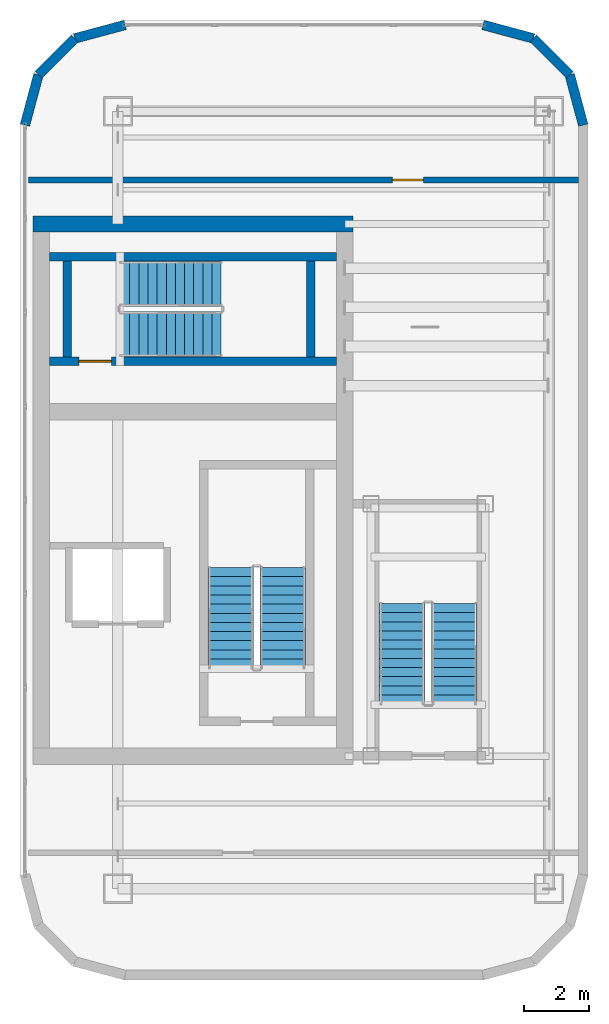
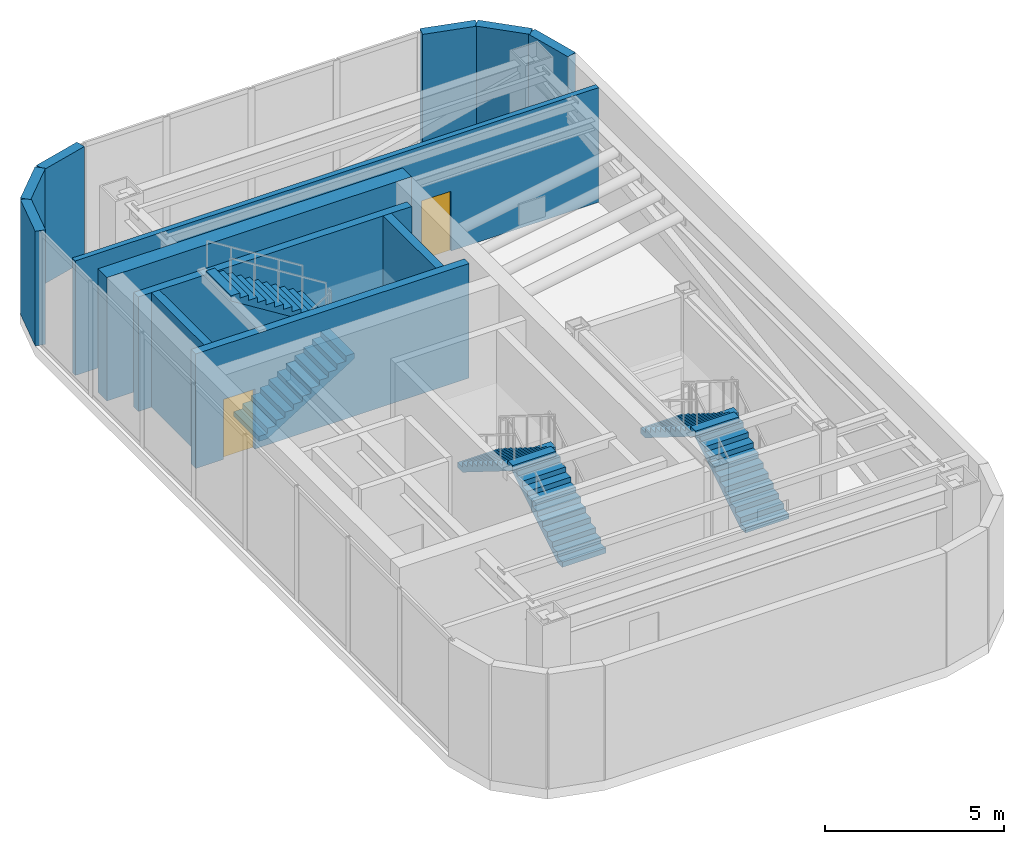
# One storey, part 8 of 9: 12 walls, 6 stair flights, 2 doors, 2 openings, 3 elements without a shape of their own.
"""IFC4 building model written with IfcOpenShell, lengths in metres."""

from ifc_helpers import new_model, si_unit, direction, frame, frame_2d, origin, place, context, subcontext, project, spatial, polyline, rectangle, outline, extrude, material, layer, layer_set, type_object, element, fill, aggregate, save


model = new_model("IFC4")

# Units and contexts
model_context = context("Model", 3, precision=1e-05, world=origin(), true_north=direction((0.0, 1.0)))
body_context = subcontext(model_context, "Body", "Model", "MODEL_VIEW")
ifc_project = project(units=[si_unit("LENGTHUNIT", "METRE"), si_unit("AREAUNIT", "SQUARE_METRE"), si_unit("VOLUMEUNIT", "CUBIC_METRE"), si_unit("PLANEANGLEUNIT", "RADIAN"), si_unit("MASSUNIT", "GRAM", prefix="KILO")], contexts=[model_context])

# Site, building, storey
site_placement = place(None, origin())
site = spatial("IfcSite", under=ifc_project, at=site_placement, CompositionType="ELEMENT")
building_placement = place(site_placement, origin())
building = spatial("IfcBuilding", under=site, at=building_placement, Name="Kiyonajd Concourse Tower", CompositionType="ELEMENT")
storey_placement = place(building_placement, frame((0.0, 0.0, 372.89990234375)))
storey = spatial("IfcBuildingStorey", under=building, at=storey_placement, Name="L93", CompositionType="ELEMENT", Elevation=372.89990234375)

# Walls
ifc_material_1 = material(Name="Concrete C60/75", Category="concrete")
ifc_layer_1 = layer(ifc_material_1, 0.5)
ifc_layer_set_1 = layer_set([ifc_layer_1], Name="Concrete C60/75")
wall_type_1 = type_object("IfcWallType", Name="WL-CORE-500", PredefinedType="SHEAR", material=ifc_layer_set_1)
wall_1_placement = place(storey_placement, frame((53.800048828125, 44.14990234375, 0.0), z_axis=(0.0, 0.0, 1.0), x_axis=(1.0, 0.0, 0.0)))
element("IfcWall", 1, at=wall_1_placement, inside=storey, type_object=wall_type_1, Name="L93 East Crown North Core Wall", PredefinedType="SHEAR", context=body_context, shape_type="SweptSolid", body=[
    extrude(rectangle(XDim=9.800048828125, YDim=0.5, at=frame_2d((4.89990234375, 0.0))), origin(), (0.0, 0.0, 1.0), 4.2001953125),
])
ifc_material_2 = material(Name="Precast concrete C50/60", Category="concrete")
ifc_layer_2 = layer(ifc_material_2, 0.300048828125)
ifc_layer_set_2 = layer_set([ifc_layer_2], Name="Precast concrete C50/60")
wall_type_2 = type_object("IfcWallType", Name="WL-CRN-300", PredefinedType="SOLIDWALL", material=ifc_layer_set_2)
wall_2_placement = place(storey_placement, frame((53.550048828125, 47.18017578125, 0.0), z_axis=(0.0, 0.0, 1.0), x_axis=(0.258871110129, 0.965911874003, 0.0)))
element("IfcWall", 2, at=wall_2_placement, inside=storey, type_object=wall_type_2, Name="L93 E Crown Enclosure Wall 02", PredefinedType="SOLIDWALL", context=body_context, shape_type="SweptSolid", body=[
    extrude(rectangle(XDim=1.5966796875, YDim=0.300048828125, at=frame_2d((0.79833984375, 0.0))), origin(), (0.0, 0.0, 1.0), 3.900146484375),
])
wall_3_placement = place(storey_placement, frame((53.96337890625, 48.722412109375, 0.0), z_axis=(0.0, 0.0, 1.0), x_axis=(0.707184251115, 0.707029302769, 0.0)))
element("IfcWall", 3, at=wall_3_placement, inside=storey, type_object=wall_type_2, Name="L93 E Crown Enclosure Wall 03", PredefinedType="SOLIDWALL", context=body_context, shape_type="SweptSolid", body=[
    extrude(rectangle(XDim=1.57568359375, YDim=0.300048828125, at=frame_2d((0.787841796875, 0.0))), origin(), (0.0, 0.0, 1.0), 3.900146484375),
])
for number, where, z_axis, x_axis, name in (
    (4, (55.07763671875, 49.83642578125, 0.0), (0.0, 0.0, 1.0), (0.96587363116, 0.259013761467, 0.0), "L93 E Crown Enclosure Wall 04"),
    (5, (67.580078125, 50.25, 0.0), (0.0, 0.0, 1.0), (0.96587363116, -0.259013761467, 0.0), "L93 E Crown Enclosure Wall 06"),
):
    element("IfcWall", number, at=place(storey_placement, frame(where, z_axis=z_axis, x_axis=x_axis)), inside=storey, type_object=wall_type_2, Name=name, PredefinedType="SOLIDWALL", context=body_context, shape_type="SweptSolid", body=[
        extrude(rectangle(XDim=1.5966796875, YDim=0.300048828125, at=frame_2d((0.79833984375, 0.0))), origin(), (0.0, 0.0, 1.0), 3.900146484375),
    ])
wall_4_placement = place(storey_placement, frame((69.122314453125, 49.83642578125, 0.0), z_axis=(0.0, 0.0, 1.0), x_axis=(0.707184251115, -0.707029302769, 0.0)))
element("IfcWall", 6, at=wall_4_placement, inside=storey, type_object=wall_type_2, Name="L93 E Crown Enclosure Wall 07", PredefinedType="SOLIDWALL", context=body_context, shape_type="SweptSolid", body=[
    extrude(rectangle(XDim=1.57568359375, YDim=0.300048828125, at=frame_2d((0.787841796875, 0.0))), origin(), (0.0, 0.0, 1.0), 3.900146484375),
])
wall_5_placement = place(storey_placement, frame((70.236572265625, 48.722412109375, 0.0), z_axis=(0.0, 0.0, 1.0), x_axis=(0.258871110129, -0.965911874003, 0.0)))
element("IfcWall", 7, at=wall_5_placement, inside=storey, type_object=wall_type_2, Name="L93 E Crown Enclosure Wall 08", PredefinedType="SOLIDWALL", context=body_context, shape_type="SweptSolid", body=[
    extrude(rectangle(XDim=1.5966796875, YDim=0.300048828125, at=frame_2d((0.79833984375, 0.0))), origin(), (0.0, 0.0, 1.0), 3.900146484375),
])

# Wall, opening, door
ifc_material_3 = material(Name="Gypsum Board on Cold-Formed Steel Stud", Category="steel")
ifc_layer_3 = layer(ifc_material_3, 0.169921875)
ifc_layer_set_3 = layer_set([ifc_layer_3], Name="Gypsum Board on Cold-Formed Steel Stud")
wall_type_3 = type_object("IfcWallType", Name="WL-SMK-170", PredefinedType="PARTITIONING", material=ifc_layer_set_3)
wall_6_placement = place(storey_placement, frame((53.655029296875, 45.5, 0.0), z_axis=(0.0, 0.0, 1.0), x_axis=(1.0, 0.0, 0.0)))
wall_6 = element("IfcWall", 8, at=wall_6_placement, inside=storey, type_object=wall_type_3, Name="L93 Interior Partition Wall", PredefinedType="PARTITIONING", context=body_context, shape_type="SweptSolid", body=[
    extrude(rectangle(XDim=16.849853515625, YDim=0.169921875, at=frame_2d((8.4248046875, 0.0))), origin(), (0.0, 0.0, 1.0), 3.900146484375),
])
opening_1_placement = place(wall_6_placement, frame((11.14501953125, 0.0, 0.0)))
opening_1 = element("IfcOpeningElement", 9, at=opening_1_placement, cuts=wall_6, Name="Opening DF3", PredefinedType="OPENING", context=body_context, shape_type="SweptSolid", body=[
    extrude(rectangle(XDim=0.949951171875, YDim=2.0400390625, at=frame_2d((0.47509765625, 1.02001953125))), frame((0.0, 0.094970703125, 0.0), z_axis=(0.0, -1.0, 0.0), x_axis=(1.0, 0.0, 0.0)), (0.0, 0.0, 1.0), 0.18994140625),
])
ifc_material_4 = material(Name="Brushed Stainless Steel Cab Assembly", Category="steel")
door_type_1 = type_object("IfcDoorType", Name="DR-FD60-950", OperationType="NOTDEFINED", PredefinedType="DOOR", material=ifc_material_4)
door_1_placement = place(opening_1_placement, origin())
door_1 = element("IfcDoor", 10, at=door_1_placement, inside=storey, type_object=door_type_1, Name="L93 Interior Door", OperationType="SINGLE_SWING_LEFT", OverallHeight=2.0400390625, OverallWidth=0.949951171875, PredefinedType="DOOR", context=body_context, shape_type="SweptSolid", body=[
    extrude(rectangle(XDim=0.949951171875, YDim=2.0400390625, at=frame_2d((0.47509765625, 1.02001953125))), frame((0.0, 0.02490234375, 0.0), z_axis=(0.0, -1.0, 0.0), x_axis=(1.0, 0.0, 0.0)), (0.0, 0.0, 1.0), 0.050048828125),
])
fill(opening_1, door_1)

ifc_material_5 = material(Name="Concrete C50/60", Category="concrete")
ifc_layer_4 = layer(ifc_material_5, 0.260009765625)
ifc_layer_set_4 = layer_set([ifc_layer_4], Name="Concrete C50/60")
wall_type_4 = type_object("IfcWallType", Name="WL-STAIR-260", PredefinedType="SHEAR", material=ifc_layer_set_4)
wall_7_placement = place(storey_placement, frame((54.300048828125, 39.949951171875, 0.0), z_axis=(0.0, 0.0, 1.0), x_axis=(1.0, 0.0, 0.0)))
wall_7 = element("IfcWall", 11, at=wall_7_placement, inside=storey, type_object=wall_type_4, Name="L93 Stair ST3 Structural South Wall", PredefinedType="SHEAR", context=body_context, shape_type="SweptSolid", body=[
    extrude(rectangle(XDim=8.800048828125, YDim=0.260009765625, at=frame_2d((4.39990234375, 0.0))), origin(), (0.0, 0.0, 1.0), 3.900146484375),
])
opening_2_placement = place(wall_7_placement, frame((0.89990234375, 0.0, 0.0)))
opening_2 = element("IfcOpeningElement", 12, at=opening_2_placement, cuts=wall_7, Name="Opening DF1", PredefinedType="OPENING", context=body_context, shape_type="SweptSolid", body=[
    extrude(rectangle(XDim=1.0, YDim=2.0400390625, at=frame_2d((0.5, 1.02001953125))), frame((0.0, 0.139892578125, 0.0), z_axis=(0.0, -1.0, 0.0), x_axis=(1.0, 0.0, 0.0)), (0.0, 0.0, 1.0), 0.280029296875),
])
door_type_2 = type_object("IfcDoorType", Name="DR-FD90-1000", OperationType="NOTDEFINED", PredefinedType="DOOR", material=ifc_material_4)
door_2_placement = place(opening_2_placement, origin())
door_2 = element("IfcDoor", 13, at=door_2_placement, inside=storey, type_object=door_type_2, Name="L93 Stair ST3 Enclosure Door", OperationType="SINGLE_SWING_LEFT", OverallHeight=2.0400390625, OverallWidth=1.0, PredefinedType="DOOR", context=body_context, shape_type="SweptSolid", body=[
    extrude(rectangle(XDim=1.0, YDim=2.0400390625, at=frame_2d((0.5, 1.02001953125))), frame((0.0, 0.02490234375, 0.0), z_axis=(0.0, -1.0, 0.0), x_axis=(1.0, 0.0, 0.0)), (0.0, 0.0, 1.0), 0.050048828125),
])
fill(opening_2, door_2)

# Walls
wall_8_placement = place(storey_placement, frame((54.300048828125, 43.14990234375, 0.0), z_axis=(0.0, 0.0, 1.0), x_axis=(1.0, 0.0, 0.0)))
element("IfcWall", 14, at=wall_8_placement, inside=storey, type_object=wall_type_4, Name="L93 Stair ST3 Structural North Wall", PredefinedType="SHEAR", context=body_context, shape_type="SweptSolid", body=[
    extrude(rectangle(XDim=8.800048828125, YDim=0.260009765625, at=frame_2d((4.39990234375, 0.0))), origin(), (0.0, 0.0, 1.0), 3.900146484375),
])
for number, where, z_axis, x_axis, name in (
    (15, (54.85009765625, 40.080078125, 0.0), (0.0, 0.0, 1.0), (0.0, 1.0, 0.0), "L93 Stair ST3 Structural West Wall"),
    (16, (62.31005859375, 40.080078125, 0.0), (0.0, 0.0, 1.0), (0.0, 1.0, 0.0), "L93 Stair ST3 Structural East Wall"),
):
    element("IfcWall", number, at=place(storey_placement, frame(where, z_axis=z_axis, x_axis=x_axis)), inside=storey, type_object=wall_type_4, Name=name, PredefinedType="SHEAR", context=body_context, shape_type="SweptSolid", body=[
        extrude(rectangle(XDim=2.93994140625, YDim=0.260009765625, at=frame_2d((1.469970703125, 0.0))), origin(), (0.0, 0.0, 1.0), 3.900146484375),
    ])

# Stair, stair flights
ifc_material_6 = material(Name="Concrete C40/50", Category="concrete")
stair_type = type_object("IfcStairType", Name="ST-DLG-24R", PredefinedType="HALF_TURN_STAIR", material=ifc_material_6)
stair_1_placement = place(storey_placement, origin())
stair_1 = element("IfcStair", 17, at=stair_1_placement, inside=storey, type_object=stair_type, Name="L93 Protected Exit Stair ST2", PredefinedType="HALF_TURN_STAIR")
stair_flight_type = type_object("IfcStairFlightType", Name="SF-STR-24R", PredefinedType="STRAIGHT", material=ifc_material_6)
stair_flight_1_placement = place(storey_placement, frame((61.449951171875, 30.550048828125, 0.0), z_axis=(0.0, 0.0, 1.0), x_axis=(0.0, 1.0, 0.0)))
stair_flight_1 = element("IfcStairFlight", 18, at=stair_flight_1_placement, type_object=stair_flight_type, Name="ST2 flight 1", NumberOfRisers=12, NumberOfTreads=11, PredefinedType="STRAIGHT", RiserHeight=0.175, TreadLength=0.28, context=body_context, shape_type="SweptSolid", body=[
    extrude(outline(polyline([(0.0, 0.0), (0.0, 0.175048828125), (0.280029296875, 0.175048828125), (0.280029296875, 0.35009765625), (0.56005859375, 0.35009765625), (0.56005859375, 0.52490234375), (0.840087890625, 0.52490234375), (0.840087890625, 0.699951171875), (1.1201171875, 0.699951171875), (1.1201171875, 0.875), (1.39990234375, 0.875), (1.39990234375, 1.050048828125), (1.679931640625, 1.050048828125), (1.679931640625, 1.22509765625), (1.9599609375, 1.22509765625), (1.9599609375, 1.39990234375), (2.239990234375, 1.39990234375), (2.239990234375, 1.574951171875), (2.52001953125, 1.574951171875), (2.52001953125, 1.75), (2.800048828125, 1.75), (2.800048828125, 1.925048828125), (3.080078125, 1.925048828125), (3.080078125, 2.10009765625), (3.080078125, 1.748291015625), (0.28271484375, 0.0), (0.0, 0.0)])), frame((0.0, 0.699951171875, 0.0), z_axis=(0.0, -1.0, 0.0), x_axis=(1.0, 0.0, 0.0)), (0.0, 0.0, 1.0), 1.39990234375),
])
stair_flight_2_placement = place(storey_placement, frame((59.85009765625, 33.6298828125, 2.10009765625), z_axis=(0.0, 0.0, 1.0), x_axis=(0.0, -1.0, 0.0)))
stair_flight_2 = element("IfcStairFlight", 19, at=stair_flight_2_placement, type_object=stair_flight_type, Name="ST2 flight 2", NumberOfRisers=12, NumberOfTreads=11, PredefinedType="STRAIGHT", RiserHeight=0.175, TreadLength=0.28, context=body_context, shape_type="SweptSolid", body=[
    extrude(outline(polyline([(0.0, 0.0), (0.0, 0.175048828125), (0.280029296875, 0.175048828125), (0.280029296875, 0.35009765625), (0.56005859375, 0.35009765625), (0.56005859375, 0.52490234375), (0.840087890625, 0.52490234375), (0.840087890625, 0.699951171875), (1.1201171875, 0.699951171875), (1.1201171875, 0.875), (1.39990234375, 0.875), (1.39990234375, 1.050048828125), (1.679931640625, 1.050048828125), (1.679931640625, 1.22509765625), (1.9599609375, 1.22509765625), (1.9599609375, 1.39990234375), (2.239990234375, 1.39990234375), (2.239990234375, 1.574951171875), (2.52001953125, 1.574951171875), (2.52001953125, 1.75), (2.800048828125, 1.75), (2.800048828125, 1.925048828125), (3.080078125, 1.925048828125), (3.080078125, 2.10009765625), (3.080078125, 1.748291015625), (0.28271484375, 0.0), (0.0, 0.0)])), frame((0.0, 0.699951171875, 0.0), z_axis=(0.0, -1.0, 0.0), x_axis=(1.0, 0.0, 0.0)), (0.0, 0.0, 1.0), 1.39990234375),
])
aggregate(stair_1, [stair_flight_1, stair_flight_2])

stair_2_placement = place(storey_placement, origin())
stair_2 = element("IfcStair", 20, at=stair_2_placement, inside=storey, type_object=stair_type, Name="L93 Protected Exit Stair ST3", PredefinedType="HALF_TURN_STAIR")
stair_flight_3_placement = place(storey_placement, frame((56.47998046875, 40.780029296875, 0.0), z_axis=(0.0, 0.0, 1.0), x_axis=(1.0, 0.0, 0.0)))
stair_flight_3 = element("IfcStairFlight", 21, at=stair_flight_3_placement, type_object=stair_flight_type, Name="ST3 flight 1", NumberOfRisers=12, NumberOfTreads=11, PredefinedType="STRAIGHT", RiserHeight=0.175, TreadLength=0.28, context=body_context, shape_type="SweptSolid", body=[
    extrude(outline(polyline([(0.0, 0.0), (0.0, 0.175048828125), (0.280029296875, 0.175048828125), (0.280029296875, 0.35009765625), (0.56005859375, 0.35009765625), (0.56005859375, 0.52490234375), (0.840087890625, 0.52490234375), (0.840087890625, 0.699951171875), (1.1201171875, 0.699951171875), (1.1201171875, 0.875), (1.39990234375, 0.875), (1.39990234375, 1.050048828125), (1.679931640625, 1.050048828125), (1.679931640625, 1.22509765625), (1.9599609375, 1.22509765625), (1.9599609375, 1.39990234375), (2.239990234375, 1.39990234375), (2.239990234375, 1.574951171875), (2.52001953125, 1.574951171875), (2.52001953125, 1.75), (2.800048828125, 1.75), (2.800048828125, 1.925048828125), (3.080078125, 1.925048828125), (3.080078125, 2.10009765625), (3.080078125, 1.748291015625), (0.28271484375, 0.0), (0.0, 0.0)])), frame((0.0, 0.699951171875, 0.0), z_axis=(0.0, -1.0, 0.0), x_axis=(1.0, 0.0, 0.0)), (0.0, 0.0, 1.0), 1.39990234375),
])
stair_flight_4_placement = place(storey_placement, frame((59.56005859375, 42.320068359375, 2.10009765625), z_axis=(0.0, 0.0, 1.0), x_axis=(-1.0, 0.0, 0.0)))
stair_flight_4 = element("IfcStairFlight", 22, at=stair_flight_4_placement, type_object=stair_flight_type, Name="ST3 flight 2", NumberOfRisers=12, NumberOfTreads=11, PredefinedType="STRAIGHT", RiserHeight=0.175, TreadLength=0.28, context=body_context, shape_type="SweptSolid", body=[
    extrude(outline(polyline([(0.0, 0.0), (0.0, 0.175048828125), (0.280029296875, 0.175048828125), (0.280029296875, 0.35009765625), (0.56005859375, 0.35009765625), (0.56005859375, 0.52490234375), (0.840087890625, 0.52490234375), (0.840087890625, 0.699951171875), (1.1201171875, 0.699951171875), (1.1201171875, 0.875), (1.39990234375, 0.875), (1.39990234375, 1.050048828125), (1.679931640625, 1.050048828125), (1.679931640625, 1.22509765625), (1.9599609375, 1.22509765625), (1.9599609375, 1.39990234375), (2.239990234375, 1.39990234375), (2.239990234375, 1.574951171875), (2.52001953125, 1.574951171875), (2.52001953125, 1.75), (2.800048828125, 1.75), (2.800048828125, 1.925048828125), (3.080078125, 1.925048828125), (3.080078125, 2.10009765625), (3.080078125, 1.748291015625), (0.28271484375, 0.0), (0.0, 0.0)])), frame((0.0, 0.699951171875, 0.0), z_axis=(0.0, -1.0, 0.0), x_axis=(1.0, 0.0, 0.0)), (0.0, 0.0, 1.0), 1.39990234375),
])
aggregate(stair_2, [stair_flight_3, stair_flight_4])

stair_3_placement = place(storey_placement, origin())
stair_3 = element("IfcStair", 23, at=stair_3_placement, inside=storey, type_object=stair_type, Name="L93 East Crown Maintenance Stair ST6", PredefinedType="HALF_TURN_STAIR")
stair_flight_5_placement = place(storey_placement, frame((66.699951171875, 29.449951171875, 0.0), z_axis=(0.0, 0.0, 1.0), x_axis=(0.0, 1.0, 0.0)))
stair_flight_5 = element("IfcStairFlight", 24, at=stair_flight_5_placement, type_object=stair_flight_type, Name="ST6 flight 1", NumberOfRisers=12, NumberOfTreads=11, PredefinedType="STRAIGHT", RiserHeight=0.175, TreadLength=0.28, context=body_context, shape_type="SweptSolid", body=[
    extrude(outline(polyline([(0.0, 0.0), (0.0, 0.175048828125), (0.280029296875, 0.175048828125), (0.280029296875, 0.35009765625), (0.56005859375, 0.35009765625), (0.56005859375, 0.52490234375), (0.840087890625, 0.52490234375), (0.840087890625, 0.699951171875), (1.1201171875, 0.699951171875), (1.1201171875, 0.875), (1.39990234375, 0.875), (1.39990234375, 1.050048828125), (1.679931640625, 1.050048828125), (1.679931640625, 1.22509765625), (1.9599609375, 1.22509765625), (1.9599609375, 1.39990234375), (2.239990234375, 1.39990234375), (2.239990234375, 1.574951171875), (2.52001953125, 1.574951171875), (2.52001953125, 1.75), (2.800048828125, 1.75), (2.800048828125, 1.925048828125), (3.080078125, 1.925048828125), (3.080078125, 2.10009765625), (3.080078125, 1.748291015625), (0.28271484375, 0.0), (0.0, 0.0)])), frame((0.0, 0.699951171875, 0.0), z_axis=(0.0, -1.0, 0.0), x_axis=(1.0, 0.0, 0.0)), (0.0, 0.0, 1.0), 1.39990234375),
])
stair_flight_6_placement = place(storey_placement, frame((65.10009765625, 32.530029296875, 2.10009765625), z_axis=(0.0, 0.0, 1.0), x_axis=(0.0, -1.0, 0.0)))
stair_flight_6 = element("IfcStairFlight", 25, at=stair_flight_6_placement, type_object=stair_flight_type, Name="ST6 flight 2", NumberOfRisers=12, NumberOfTreads=11, PredefinedType="STRAIGHT", RiserHeight=0.175, TreadLength=0.28, context=body_context, shape_type="SweptSolid", body=[
    extrude(outline(polyline([(0.0, 0.0), (0.0, 0.175048828125), (0.280029296875, 0.175048828125), (0.280029296875, 0.35009765625), (0.56005859375, 0.35009765625), (0.56005859375, 0.52490234375), (0.840087890625, 0.52490234375), (0.840087890625, 0.699951171875), (1.1201171875, 0.699951171875), (1.1201171875, 0.875), (1.39990234375, 0.875), (1.39990234375, 1.050048828125), (1.679931640625, 1.050048828125), (1.679931640625, 1.22509765625), (1.9599609375, 1.22509765625), (1.9599609375, 1.39990234375), (2.239990234375, 1.39990234375), (2.239990234375, 1.574951171875), (2.52001953125, 1.574951171875), (2.52001953125, 1.75), (2.800048828125, 1.75), (2.800048828125, 1.925048828125), (3.080078125, 1.925048828125), (3.080078125, 2.10009765625), (3.080078125, 1.748291015625), (0.28271484375, 0.0), (0.0, 0.0)])), frame((0.0, 0.699951171875, 0.0), z_axis=(0.0, -1.0, 0.0), x_axis=(1.0, 0.0, 0.0)), (0.0, 0.0, 1.0), 1.39990234375),
])
aggregate(stair_3, [stair_flight_5, stair_flight_6])

save(model, "model.ifc")
